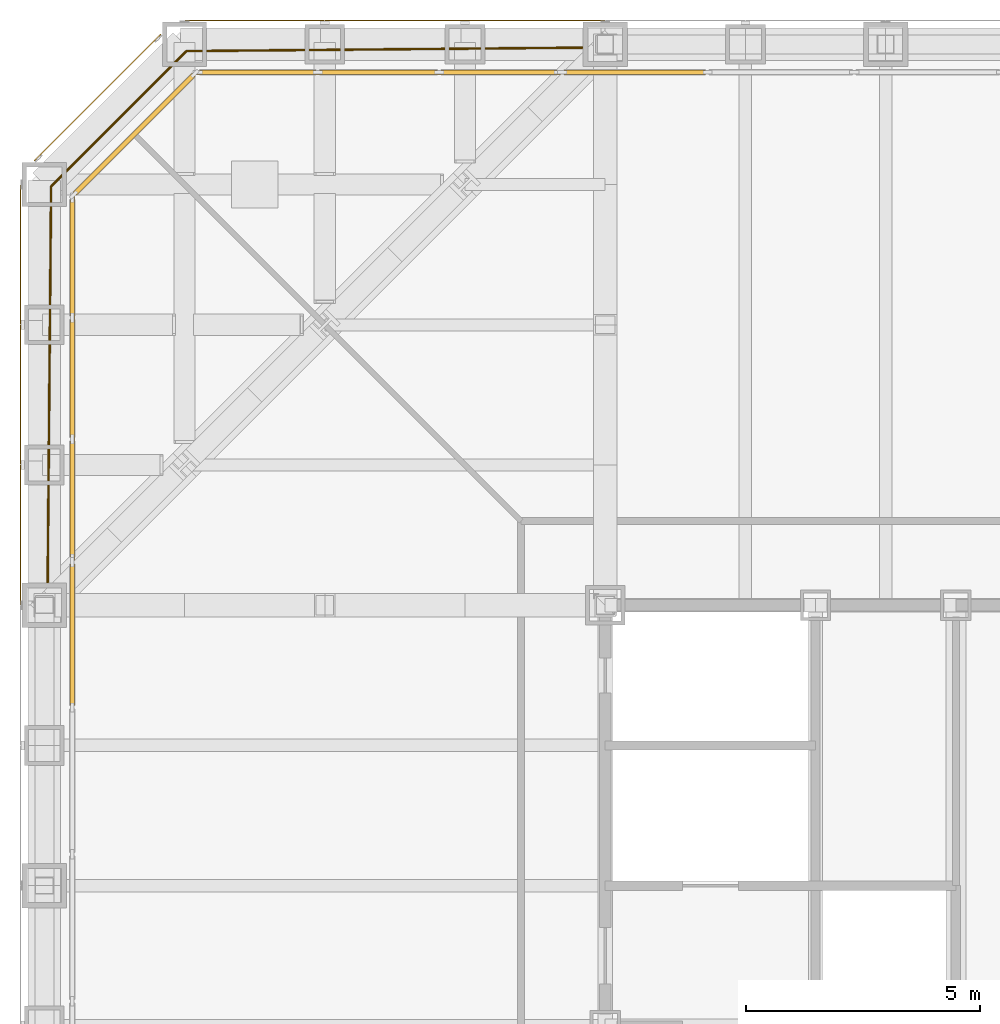
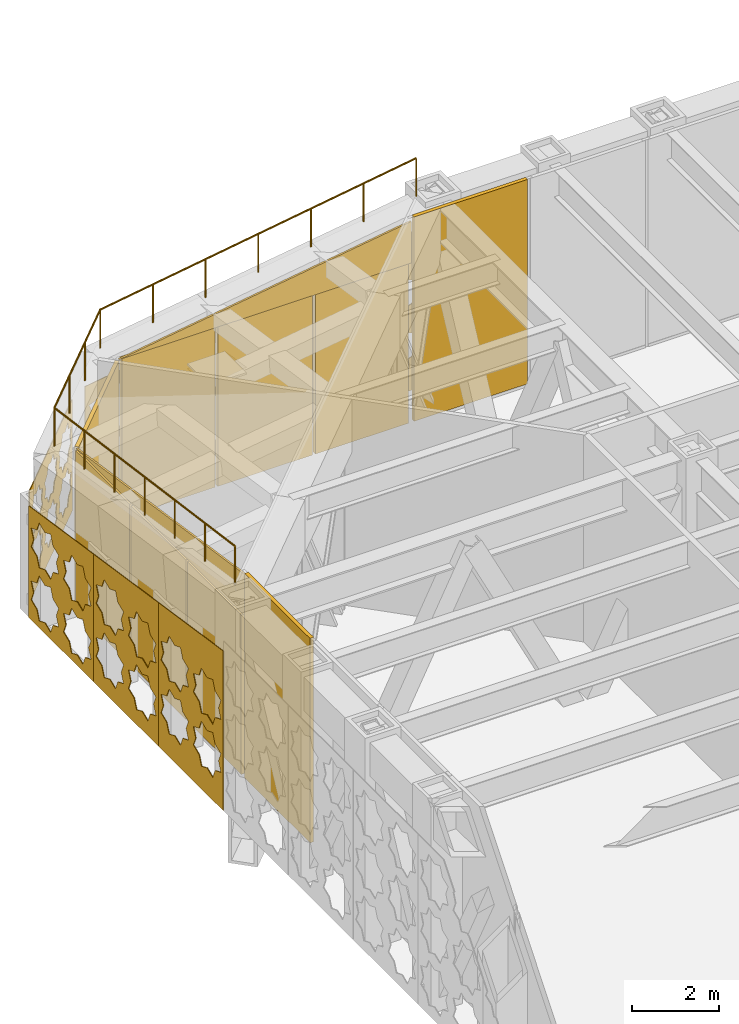
# One storey, part 26 of 28: 9 coverings, 9 shading devices, 1 railing, 5 elements without a shape of their own.
"""IFC4 building model written with IfcOpenShell, lengths in metres."""

import ifcopenshell
import ifcopenshell.guid

model = None  # the IFC model being written
_history = None  # IfcOwnerHistory: only IFC2X3 demands one
_inside = {}  # id of a spatial element -> (the spatial element, [elements in it])
_under = {}  # id of a project, library or spatial element -> (it, [spatial elements below it])
_declared = {}  # id of a project -> (the project, [libraries it declares])
_typed = {}  # id of a type object -> (the type object, [elements of that type])
_made_of = {}  # id of a material, layer set ... -> (it, [elements and type objects made of it])


def new_model(schema):
    """Start an empty IFC model of exactly this schema.

    Asked for "IFC4X3", IfcOpenShell would pick the latest addendum, in which some entities
    have other attributes; the version numbers below select the first issue.
    IFC2X3 requires an IfcOwnerHistory on every rooted entity: one is made here for all.
    """
    global model, _history
    if schema == "IFC4X3":
        model = ifcopenshell.file(schema_version=(4, 3, 0, 0))
    else:
        model = ifcopenshell.file(schema=schema)
    _inside.clear()
    _under.clear()
    _declared.clear()
    _typed.clear()
    _made_of.clear()
    _history = None
    if model.schema == "IFC2X3":
        org = make("IfcOrganization", Name="unknown")
        user = make(
            "IfcPersonAndOrganization",
            ThePerson=make("IfcPerson", FamilyName="unknown"),
            TheOrganization=org,
        )
        app = make(
            "IfcApplication",
            ApplicationDeveloper=org,
            Version="unknown",
            ApplicationFullName="unknown",
            ApplicationIdentifier="unknown",
        )
        _history = make(
            "IfcOwnerHistory",
            OwningUser=user,
            OwningApplication=app,
            ChangeAction="ADDED",
            CreationDate=0,
        )
    return model


def make(cls, **values):
    """One entity of the class cls with the attributes given. An attribute that is None is left unset."""
    return model.create_entity(
        cls, **{name: value for name, value in values.items() if value is not None}
    )


def rooted(cls, **values):
    """An entity with a GlobalId (a new one), such as an element, a storey or a relation."""
    return make(cls, GlobalId=ifcopenshell.guid.new(), OwnerHistory=_history, **values)


def si_unit(unit_type, name, prefix=None):
    """IfcSIUnit, for example si_unit("LENGTHUNIT", "METRE", prefix="MILLI")."""
    return make("IfcSIUnit", UnitType=unit_type, Prefix=prefix, Name=name)


def assignment(units):
    """IfcUnitAssignment: the units of a project."""
    return None if units is None else make("IfcUnitAssignment", Units=units)


def point(xyz):
    """IfcCartesianPoint."""
    return None if xyz is None else make("IfcCartesianPoint", Coordinates=xyz)


def direction(xyz):
    """IfcDirection."""
    return None if xyz is None else make("IfcDirection", DirectionRatios=xyz)


def frame(location, z_axis=None, x_axis=None):
    """IfcAxis2Placement3D, a coordinate frame: its origin and axes. An axis left out is left unset."""
    return make(
        "IfcAxis2Placement3D",
        Location=point(location),
        Axis=direction(z_axis),
        RefDirection=direction(x_axis),
    )


def frame_2d(location, x_axis=None):
    """IfcAxis2Placement2D, a coordinate frame in the plane: its origin and x axis."""
    return make(
        "IfcAxis2Placement2D", Location=point(location), RefDirection=direction(x_axis)
    )


def origin():
    """The frame at (0, 0, 0) with its axes left unset."""
    return frame((0.0, 0.0, 0.0))


def origin_2d():
    """The frame at (0, 0) in the plane with its x axis left unset."""
    return frame_2d((0.0, 0.0))


def place(relative_to, where):
    """IfcLocalPlacement: puts the frame where relative to a parent placement (None: the world)."""
    return make(
        "IfcLocalPlacement", PlacementRelTo=relative_to, RelativePlacement=where
    )


def context(
    kind, dimensions, precision=None, world=None, true_north=None, identifier=None
):
    """IfcGeometricRepresentationContext, for example the 3D "Model" context."""
    return make(
        "IfcGeometricRepresentationContext",
        ContextIdentifier=identifier,
        ContextType=kind,
        CoordinateSpaceDimension=dimensions,
        Precision=precision,
        WorldCoordinateSystem=world,
        TrueNorth=true_north,
    )


def subcontext(parent, identifier, kind, view, scale=None):
    """IfcGeometricRepresentationSubContext, for example "Body" below "Model"."""
    return make(
        "IfcGeometricRepresentationSubContext",
        ContextIdentifier=identifier,
        ContextType=kind,
        ParentContext=parent,
        TargetScale=scale,
        TargetView=view,
    )


def project(units=None, contexts=None):
    """IfcProject with its units and contexts."""
    return rooted(
        "IfcProject",
        Name="project",
        RepresentationContexts=contexts,
        UnitsInContext=assignment(units),
    )


def spatial(cls, under=None, at=None, **own):
    """A site, building, storey or space (cls), placed at a placement, below another one or the project."""
    s = rooted(cls, ObjectPlacement=at, **own)
    if under is not None:
        _under.setdefault(under.id(), (under, []))[1].append(s)
    return s


def polyline(points):
    """IfcPolyline through the points."""
    return make("IfcPolyline", Points=[point(p) for p in points])


def profile(cls, at=None, kind="AREA", **sizes):
    """A parametric profile (cls). Its sizes go by their IFC names, for example OverallWidth=200.0."""
    return make(cls, ProfileType=kind, Position=at, **sizes)


def rectangle(**sizes):
    """IfcRectangleProfileDef."""
    return profile("IfcRectangleProfileDef", **sizes)


def circle(**sizes):
    """IfcCircleProfileDef."""
    return profile("IfcCircleProfileDef", **sizes)


def outline(outer, holes=None, kind="AREA"):
    """IfcArbitraryClosedProfileDef: a profile drawn as a closed curve; with holes, ...WithVoids."""
    if holes is None:
        return make("IfcArbitraryClosedProfileDef", ProfileType=kind, OuterCurve=outer)
    return make(
        "IfcArbitraryProfileDefWithVoids",
        ProfileType=kind,
        OuterCurve=outer,
        InnerCurves=holes,
    )


def extrude(swept, where, along, depth):
    """IfcExtrudedAreaSolid: the profile swept, set in the frame where, extruded along a direction by depth."""
    return make(
        "IfcExtrudedAreaSolid",
        SweptArea=swept,
        Position=where,
        ExtrudedDirection=direction(along),
        Depth=depth,
    )


def shape(context_of_items, identifier, shape_type, items):
    """IfcShapeRepresentation: the items that make up one representation, for example the "Body"."""
    return make(
        "IfcShapeRepresentation",
        ContextOfItems=context_of_items,
        RepresentationIdentifier=identifier,
        RepresentationType=shape_type,
        Items=items,
    )


def material(Name=None, Category=None):
    """IfcMaterial."""
    return make("IfcMaterial", Name=Name, Category=Category)


def layer(
    of_material, thickness, ventilated=None, Name=None, Category=None, Priority=None
):
    """IfcMaterialLayer: one layer of a wall or slab, of a material (None: an air gap)."""
    return make(
        "IfcMaterialLayer",
        Material=of_material,
        LayerThickness=thickness,
        IsVentilated=ventilated,
        Name=Name,
        Category=Category,
        Priority=Priority,
    )


def layer_set(layers, Name=None):
    """IfcMaterialLayerSet."""
    return make("IfcMaterialLayerSet", MaterialLayers=layers, LayerSetName=Name)


def made_of(thing, what):
    """Note that an element or type object is made of a material, layer set ...; save() writes the relation."""
    if what is not None:
        _made_of.setdefault(what.id(), (what, []))[1].append(thing)
    return thing


def type_object(cls, material=None, **own):
    """A type object (cls), such as IfcWallType, which elements share."""
    return made_of(rooted(cls, **own), material)


def element(
    cls,
    number,
    at=None,
    inside=None,
    cuts=None,
    type_object=None,
    material=None,
    context=None,
    identifier="Body",
    shape_type=None,
    held_by="IfcProductDefinitionShape",
    body=None,
    shapes=None,
    **own,
):
    """One element of the class cls, such as IfcWall. Its Tag is "e" and its number.

    at: its placement. inside: the storey or other place that contains it. cuts: it is an
    opening in that element (IfcRelVoidsElement). A single representation is given by context,
    identifier, shape_type and body (its items); several are given by shapes. held_by: the class
    of the entity that holds the representations. save() writes the other relations.
    """
    e = rooted(cls, Tag="e%d" % number, ObjectPlacement=at, **own)
    if body is not None:
        shapes = [shape(context, identifier, shape_type, body)]
    if shapes is not None:
        e.Representation = make(held_by, Representations=shapes)
    if inside is not None:
        _inside.setdefault(inside.id(), (inside, []))[1].append(e)
    if cuts is not None:
        rooted(
            "IfcRelVoidsElement", RelatingBuildingElement=cuts, RelatedOpeningElement=e
        )
    if type_object is not None:
        _typed.setdefault(type_object.id(), (type_object, []))[1].append(e)
    return made_of(e, material)


def aggregate(whole, parts):
    """IfcRelAggregates: a whole, such as a stair, and the parts it consists of."""
    return rooted("IfcRelAggregates", RelatingObject=whole, RelatedObjects=parts)


def save(model, path):
    """Write the relations noted so far, then the file.

    IfcRelAggregates (storeys below a building ...), IfcRelContainedInSpatialStructure (elements
    in a storey), IfcRelDefinesByType, IfcRelAssociatesMaterial and IfcRelDeclares: one each for
    every whole, place, type object, material and project.
    """
    for whole, parts in _under.values():
        aggregate(whole, parts)
    for where, things in _inside.values():
        rooted(
            "IfcRelContainedInSpatialStructure",
            RelatedElements=things,
            RelatingStructure=where,
        )
    for kind, things in _typed.values():
        rooted("IfcRelDefinesByType", RelatedObjects=things, RelatingType=kind)
    for what, things in _made_of.values():
        rooted("IfcRelAssociatesMaterial", RelatedObjects=things, RelatingMaterial=what)
    for by, libraries in _declared.values():
        rooted("IfcRelDeclares", RelatingContext=by, RelatedDefinitions=libraries)
    model.write(path)


model = new_model("IFC4")

# Units and contexts
model_context = context("Model", 3, precision=1e-05, world=origin(), true_north=direction((0.0, 1.0)))
body_context = subcontext(model_context, "Body", "Model", "MODEL_VIEW")
ifc_project = project(units=[si_unit("LENGTHUNIT", "METRE"), si_unit("AREAUNIT", "SQUARE_METRE"), si_unit("VOLUMEUNIT", "CUBIC_METRE"), si_unit("PLANEANGLEUNIT", "RADIAN"), si_unit("MASSUNIT", "GRAM", prefix="KILO")], contexts=[model_context])

# Site, building, storey
site_placement = place(None, origin())
site = spatial("IfcSite", under=ifc_project, at=site_placement, CompositionType="ELEMENT")
building_placement = place(site_placement, origin())
building = spatial("IfcBuilding", under=site, at=building_placement, Name="Chuquiago Exchange Tower", CompositionType="ELEMENT")
storey_placement = place(building_placement, frame((0.0, 0.0, 174.0)))
storey = spatial("IfcBuildingStorey", under=building, at=storey_placement, Name="L38", CompositionType="ELEMENT", Elevation=174.0)

# Curtain wall, shading device
ifc_material_1 = material(Name="Aluminium curtain wall system", Category="aluminium")
ifc_layer_1 = layer(ifc_material_1, 0.199951171875)
ifc_layer_set_1 = layer_set([ifc_layer_1], Name="CW6 plant floor louvre wall")
curtain_wall_type = type_object("IfcCurtainWallType", Name="CW6 plant floor louvre wall", PredefinedType="NOTDEFINED", material=ifc_layer_set_1)
curtain_wall_1_placement = place(storey_placement, origin())
curtain_wall_1 = element("IfcCurtainWall", 1, at=curtain_wall_1_placement, inside=storey, type_object=curtain_wall_type, Name="CW6 curtain wall L38", PredefinedType="NOTDEFINED")
ifc_material_2 = material(Name="Aluminium louvre", Category="aluminium")
ifc_layer_2 = layer(ifc_material_2, 0.10009765625)
ifc_layer_set_2 = layer_set([ifc_layer_2], Name="CW6-P louvre panel 100")
shading_device_type = type_object("IfcShadingDeviceType", Name="CW6-P louvre panel 100", PredefinedType="USERDEFINED", material=ifc_layer_set_2)
shading_device_1_placement = place(storey_placement, frame((12.6357421875, 44.39990234375, 0.0751953125), z_axis=(0.0, 0.0, 1.0), x_axis=(-1.0, 0.0, 0.0)))
shading_device_1 = element("IfcShadingDevice", 2, at=shading_device_1_placement, type_object=shading_device_type, Name="CW6 panel 5.1", ObjectType="LOUVER", PredefinedType="USERDEFINED", context=body_context, shape_type="SweptSolid", body=[
    extrude(rectangle(XDim=3.028564453125, YDim=0.10009765625, at=origin_2d()), origin(), (0.0, 0.0, 1.0), 5.764892578125),
])
aggregate(curtain_wall_1, [shading_device_1])

# Curtain wall, shading devices
curtain_wall_2_placement = place(storey_placement, origin())
curtain_wall_2 = element("IfcCurtainWall", 3, at=curtain_wall_2_placement, inside=storey, type_object=curtain_wall_type, Name="CW6 curtain wall L38", PredefinedType="NOTDEFINED")
shading_device_2_placement = place(storey_placement, frame((9.72802734375, 44.39990234375, 0.0751953125), z_axis=(0.0, 0.0, 1.0), x_axis=(-1.0, 0.0, 0.0)))
shading_device_2 = element("IfcShadingDevice", 4, at=shading_device_2_placement, type_object=shading_device_type, Name="CW6 panel 1.1", ObjectType="LOUVER", PredefinedType="USERDEFINED", context=body_context, shape_type="SweptSolid", body=[
    extrude(rectangle(XDim=2.48681640625, YDim=0.10009765625, at=origin_2d()), origin(), (0.0, 0.0, 1.0), 4.495361328125),
])
shading_device_3_placement = place(storey_placement, frame((7.1474609375, 44.39990234375, 0.0751953125), z_axis=(0.0, 0.0, 1.0), x_axis=(-1.0, 0.0, 0.0)))
shading_device_3 = element("IfcShadingDevice", 5, at=shading_device_3_placement, type_object=shading_device_type, Name="CW6 panel 2.1", ObjectType="LOUVER", PredefinedType="USERDEFINED", context=body_context, shape_type="SweptSolid", body=[
    extrude(rectangle(XDim=2.5244140625, YDim=0.10009765625, at=origin_2d()), origin(), (0.0, 0.0, 1.0), 4.495361328125),
])
shading_device_4_placement = place(storey_placement, frame((4.56689453125, 44.39990234375, 0.0751953125), z_axis=(0.0, 0.0, 1.0), x_axis=(-1.0, 0.0, 0.0)))
shading_device_4 = element("IfcShadingDevice", 6, at=shading_device_4_placement, type_object=shading_device_type, Name="CW6 panel 3.1", ObjectType="LOUVER", PredefinedType="USERDEFINED", context=body_context, shape_type="SweptSolid", body=[
    extrude(rectangle(XDim=2.48681640625, YDim=0.10009765625, at=origin_2d()), origin(), (0.0, 0.0, 1.0), 4.495361328125),
])
aggregate(curtain_wall_2, [shading_device_2, shading_device_3, shading_device_4])

# Curtain wall, shading device
curtain_wall_3_placement = place(storey_placement, origin())
curtain_wall_3 = element("IfcCurtainWall", 7, at=curtain_wall_3_placement, inside=storey, type_object=curtain_wall_type, Name="CW6 curtain wall L38", PredefinedType="NOTDEFINED")
shading_device_5_placement = place(storey_placement, frame((1.92431640625, 43.07568359375, 0.0751953125), z_axis=(0.0, 0.0, 1.0), x_axis=(-0.707106781187, -0.707106781187, 0.0)))
shading_device_5 = element("IfcShadingDevice", 8, at=shading_device_5_placement, type_object=shading_device_type, Name="CW6 panel 1.1", ObjectType="LOUVER", PredefinedType="USERDEFINED", context=body_context, shape_type="SweptSolid", body=[
    extrude(rectangle(XDim=3.595458984375, YDim=0.10009765625, at=origin_2d()), origin(), (0.0, 0.0, 1.0), 4.495361328125),
])
aggregate(curtain_wall_3, [shading_device_5])

# Curtain wall, shading devices
curtain_wall_4_placement = place(storey_placement, origin())
curtain_wall_4 = element("IfcCurtainWall", 9, at=curtain_wall_4_placement, inside=storey, type_object=curtain_wall_type, Name="CW6 curtain wall L38", PredefinedType="NOTDEFINED")
shading_device_6_placement = place(storey_placement, frame((0.60009765625, 40.43310546875, 0.0751953125), z_axis=(0.0, 0.0, 1.0), x_axis=(0.0, -1.0, 0.0)))
shading_device_6 = element("IfcShadingDevice", 10, at=shading_device_6_placement, type_object=shading_device_type, Name="CW6 panel 1.1", ObjectType="LOUVER", PredefinedType="USERDEFINED", context=body_context, shape_type="SweptSolid", body=[
    extrude(rectangle(XDim=2.48681640625, YDim=0.10009765625, at=origin_2d()), origin(), (0.0, 0.0, 1.0), 4.495361328125),
])
shading_device_7_placement = place(storey_placement, frame((0.60009765625, 37.8525390625, 0.0751953125), z_axis=(0.0, 0.0, 1.0), x_axis=(0.0, -1.0, 0.0)))
shading_device_7 = element("IfcShadingDevice", 11, at=shading_device_7_placement, type_object=shading_device_type, Name="CW6 panel 2.1", ObjectType="LOUVER", PredefinedType="USERDEFINED", context=body_context, shape_type="SweptSolid", body=[
    extrude(rectangle(XDim=2.5244140625, YDim=0.10009765625, at=origin_2d()), origin(), (0.0, 0.0, 1.0), 4.495361328125),
])
shading_device_8_placement = place(storey_placement, frame((0.60009765625, 35.27197265625, 0.0751953125), z_axis=(0.0, 0.0, 1.0), x_axis=(0.0, -1.0, 0.0)))
shading_device_8 = element("IfcShadingDevice", 12, at=shading_device_8_placement, type_object=shading_device_type, Name="CW6 panel 3.1", ObjectType="LOUVER", PredefinedType="USERDEFINED", context=body_context, shape_type="SweptSolid", body=[
    extrude(rectangle(XDim=2.48681640625, YDim=0.10009765625, at=origin_2d()), origin(), (0.0, 0.0, 1.0), 4.495361328125),
])
aggregate(curtain_wall_4, [shading_device_6, shading_device_7, shading_device_8])

# Curtain wall, shading device
curtain_wall_5_placement = place(storey_placement, origin())
curtain_wall_5 = element("IfcCurtainWall", 13, at=curtain_wall_5_placement, inside=storey, type_object=curtain_wall_type, Name="CW6 curtain wall L38", PredefinedType="NOTDEFINED")
shading_device_9_placement = place(storey_placement, frame((0.60009765625, 32.3642578125, 0.0751953125), z_axis=(0.0, 0.0, 1.0), x_axis=(0.0, -1.0, 0.0)))
shading_device_9 = element("IfcShadingDevice", 14, at=shading_device_9_placement, type_object=shading_device_type, Name="CW6 panel 1.1", ObjectType="LOUVER", PredefinedType="USERDEFINED", context=body_context, shape_type="SweptSolid", body=[
    extrude(rectangle(XDim=3.028564453125, YDim=0.10009765625, at=origin_2d()), origin(), (0.0, 0.0, 1.0), 5.764892578125),
])
aggregate(curtain_wall_5, [shading_device_9])

# Coverings
ifc_material_3 = material(Name="Pale metal insulated fascia panel", Category="aluminium")
ifc_layer_3 = layer(ifc_material_3, 0.050048828125)
ifc_layer_set_3 = layer_set([ifc_layer_3], Name="FX1 raked fascia panel 50")
covering_type_1 = type_object("IfcCoveringType", Name="FX1 raked fascia panel 50", PredefinedType="CLADDING", material=ifc_layer_set_3)
covering_1_placement = place(storey_placement, frame((11.04638671875, 44.39990234375, 4.5703125), z_axis=(0.0, 1.0, 0.0), x_axis=(-1.0, 0.0, 0.0)))
element("IfcCovering", 15, at=covering_1_placement, inside=storey, type_object=covering_type_1, Name="Raked fascia L38 N under the NW facet roof", PredefinedType="CLADDING", context=body_context, shape_type="SweptSolid", body=[
    extrude(outline(polyline([(0.0, 0.0), (7.7978515625, 0.0), (0.0, 1.172119140625), (0.0, 0.0)])), origin(), (0.0, 0.0, -1.0), 0.050048828125),
])
covering_2_placement = place(storey_placement, frame((0.60009765625, 41.75146484375, 4.5703125), z_axis=(-1.0, 0.0, 0.0), x_axis=(0.0, -1.0, 0.0)))
element("IfcCovering", 16, at=covering_2_placement, inside=storey, type_object=covering_type_1, Name="Raked fascia L38 W under the NW facet roof", PredefinedType="CLADDING", context=body_context, shape_type="SweptSolid", body=[
    extrude(outline(polyline([(0.0, 0.0), (7.7978515625, 0.0), (7.7978515625, 1.172119140625), (0.0, 0.0)])), origin(), (0.0, 0.0, -1.0), 0.050048828125),
])
ifc_material_4 = material(Name="Anodised aluminium, pale", Category="aluminium")
ifc_layer_4 = layer(ifc_material_4, 0.02001953125)
ifc_layer_set_4 = layer_set([ifc_layer_4], Name="GC1 girih cladding panel 20")
covering_type_2 = type_object("IfcCoveringType", Name="GC1 girih cladding panel 20", PredefinedType="CLADDING", material=ifc_layer_set_4)
covering_3_placement = place(storey_placement, frame((11.9951171875, 45.5, 0.050048828125), z_axis=(0.0, 0.0, 1.0), x_axis=(-1.0, 0.0, 0.0)))
element("IfcCovering", 17, at=covering_3_placement, inside=storey, type_object=covering_type_2, Name="Girih cladding panel L38 N 6", PredefinedType="CLADDING", context=body_context, shape_type="SweptSolid", body=[
    extrude(outline(polyline([(0.0, 0.0), (2.989990234375, 0.0), (2.989990234375, 4.0498046875), (0.0, 4.499267578125), (0.0, 0.0)]), holes=[polyline([(1.27392578125, 1.27734375), (1.3828125, 1.54052734375), (1.11962890625, 1.649658203125), (1.0107421875, 1.912841796875), (0.74755859375, 1.8037109375), (0.484375, 1.912841796875), (0.375244140625, 1.649658203125), (0.112060546875, 1.54052734375), (0.22119140625, 1.27734375), (0.112060546875, 1.01416015625), (0.375244140625, 0.9052734375), (0.484375, 0.64208984375), (0.74755859375, 0.7509765625), (1.0107421875, 0.64208984375), (1.11962890625, 0.9052734375), (1.3828125, 1.01416015625), (1.27392578125, 1.27734375)]), polyline([(2.768798828125, 1.27734375), (2.8779296875, 1.54052734375), (2.61474609375, 1.649658203125), (2.505615234375, 1.912841796875), (2.242431640625, 1.8037109375), (1.979248046875, 1.912841796875), (1.870361328125, 1.649658203125), (1.607177734375, 1.54052734375), (1.716064453125, 1.27734375), (1.607177734375, 1.01416015625), (1.870361328125, 0.9052734375), (1.979248046875, 0.64208984375), (2.242431640625, 0.7509765625), (2.505615234375, 0.64208984375), (2.61474609375, 0.9052734375), (2.8779296875, 1.01416015625), (2.768798828125, 1.27734375)]), polyline([(1.27392578125, 2.7724609375), (1.3828125, 3.03564453125), (1.11962890625, 3.14453125), (1.0107421875, 3.40771484375), (0.74755859375, 3.298828125), (0.484375, 3.40771484375), (0.375244140625, 3.14453125), (0.112060546875, 3.03564453125), (0.22119140625, 2.7724609375), (0.112060546875, 2.50927734375), (0.375244140625, 2.400146484375), (0.484375, 2.136962890625), (0.74755859375, 2.24609375), (1.0107421875, 2.136962890625), (1.11962890625, 2.400146484375), (1.3828125, 2.50927734375), (1.27392578125, 2.7724609375)]), polyline([(2.768798828125, 2.7724609375), (2.8779296875, 3.03564453125), (2.61474609375, 3.14453125), (2.505615234375, 3.40771484375), (2.242431640625, 3.298828125), (1.979248046875, 3.40771484375), (1.870361328125, 3.14453125), (1.607177734375, 3.03564453125), (1.716064453125, 2.7724609375), (1.607177734375, 2.50927734375), (1.870361328125, 2.400146484375), (1.979248046875, 2.136962890625), (2.242431640625, 2.24609375), (2.505615234375, 2.136962890625), (2.61474609375, 2.400146484375), (2.8779296875, 2.50927734375), (2.768798828125, 2.7724609375)])]), frame((0.0, 0.0, 0.0), z_axis=(0.0, -1.0, 0.0), x_axis=(1.0, 0.0, 0.0)), (0.0, 0.0, 1.0), 0.02001953125),
])
covering_4_placement = place(storey_placement, frame((8.9951171875, 45.5, 0.050048828125), z_axis=(0.0, 0.0, 1.0), x_axis=(-1.0, 0.0, 0.0)))
element("IfcCovering", 18, at=covering_4_placement, inside=storey, type_object=covering_type_2, Name="Girih cladding panel L38 N 7", PredefinedType="CLADDING", context=body_context, shape_type="SweptSolid", body=[
    extrude(outline(polyline([(0.0, 0.0), (2.989990234375, 0.0), (2.989990234375, 3.598876953125), (0.0, 4.04833984375), (0.0, 0.0)]), holes=[polyline([(1.27392578125, 1.052001953125), (1.3828125, 1.315185546875), (1.11962890625, 1.424072265625), (1.0107421875, 1.687255859375), (0.74755859375, 1.578369140625), (0.484375, 1.687255859375), (0.375244140625, 1.424072265625), (0.112060546875, 1.315185546875), (0.22119140625, 1.052001953125), (0.112060546875, 0.788818359375), (0.375244140625, 0.6796875), (0.484375, 0.41650390625), (0.74755859375, 0.525634765625), (1.0107421875, 0.41650390625), (1.11962890625, 0.6796875), (1.3828125, 0.788818359375), (1.27392578125, 1.052001953125)]), polyline([(2.768798828125, 1.052001953125), (2.8779296875, 1.315185546875), (2.61474609375, 1.424072265625), (2.505615234375, 1.687255859375), (2.242431640625, 1.578369140625), (1.979248046875, 1.687255859375), (1.870361328125, 1.424072265625), (1.607177734375, 1.315185546875), (1.716064453125, 1.052001953125), (1.607177734375, 0.788818359375), (1.870361328125, 0.6796875), (1.979248046875, 0.41650390625), (2.242431640625, 0.525634765625), (2.505615234375, 0.41650390625), (2.61474609375, 0.6796875), (2.8779296875, 0.788818359375), (2.768798828125, 1.052001953125)]), polyline([(1.27392578125, 2.546875), (1.3828125, 2.81005859375), (1.11962890625, 2.919189453125), (1.0107421875, 3.182373046875), (0.74755859375, 3.0732421875), (0.484375, 3.182373046875), (0.375244140625, 2.919189453125), (0.112060546875, 2.81005859375), (0.22119140625, 2.546875), (0.112060546875, 2.28369140625), (0.375244140625, 2.1748046875), (0.484375, 1.91162109375), (0.74755859375, 2.0205078125), (1.0107421875, 1.91162109375), (1.11962890625, 2.1748046875), (1.3828125, 2.28369140625), (1.27392578125, 2.546875)]), polyline([(2.768798828125, 2.546875), (2.8779296875, 2.81005859375), (2.61474609375, 2.919189453125), (2.505615234375, 3.182373046875), (2.242431640625, 3.0732421875), (1.979248046875, 3.182373046875), (1.870361328125, 2.919189453125), (1.607177734375, 2.81005859375), (1.716064453125, 2.546875), (1.607177734375, 2.28369140625), (1.870361328125, 2.1748046875), (1.979248046875, 1.91162109375), (2.242431640625, 2.0205078125), (2.505615234375, 1.91162109375), (2.61474609375, 2.1748046875), (2.8779296875, 2.28369140625), (2.768798828125, 2.546875)])]), frame((0.0, 0.0, 0.0), z_axis=(0.0, -1.0, 0.0), x_axis=(1.0, 0.0, 0.0)), (0.0, 0.0, 1.0), 0.02001953125),
])
covering_5_placement = place(storey_placement, frame((5.9951171875, 45.5, 0.050048828125), z_axis=(0.0, 0.0, 1.0), x_axis=(-1.0, 0.0, 0.0)))
element("IfcCovering", 19, at=covering_5_placement, inside=storey, type_object=covering_type_2, Name="Girih cladding panel L38 N 8", PredefinedType="CLADDING", context=body_context, shape_type="SweptSolid", body=[
    extrude(outline(polyline([(0.0, 0.0), (2.989990234375, 0.0), (2.989990234375, 3.14794921875), (0.0, 3.597412109375), (0.0, 0.0)]), holes=[polyline([(1.27392578125, 0.82666015625), (1.3828125, 1.089599609375), (1.11962890625, 1.19873046875), (1.0107421875, 1.4619140625), (0.74755859375, 1.352783203125), (0.484375, 1.4619140625), (0.375244140625, 1.19873046875), (0.112060546875, 1.089599609375), (0.22119140625, 0.82666015625), (0.112060546875, 0.563232421875), (0.375244140625, 0.454345703125), (0.484375, 0.191162109375), (0.74755859375, 0.300048828125), (1.0107421875, 0.191162109375), (1.11962890625, 0.454345703125), (1.3828125, 0.563232421875), (1.27392578125, 0.82666015625)]), polyline([(2.768798828125, 0.82666015625), (2.8779296875, 1.089599609375), (2.61474609375, 1.19873046875), (2.505615234375, 1.4619140625), (2.242431640625, 1.352783203125), (1.979248046875, 1.4619140625), (1.870361328125, 1.19873046875), (1.607177734375, 1.089599609375), (1.716064453125, 0.82666015625), (1.607177734375, 0.563232421875), (1.870361328125, 0.454345703125), (1.979248046875, 0.191162109375), (2.242431640625, 0.300048828125), (2.505615234375, 0.191162109375), (2.61474609375, 0.454345703125), (2.8779296875, 0.563232421875), (2.768798828125, 0.82666015625)]), polyline([(1.27392578125, 2.321533203125), (1.3828125, 2.584716796875), (1.11962890625, 2.693603515625), (1.0107421875, 2.956787109375), (0.74755859375, 2.847900390625), (0.484375, 2.956787109375), (0.375244140625, 2.693603515625), (0.112060546875, 2.584716796875), (0.22119140625, 2.321533203125), (0.112060546875, 2.058349609375), (0.375244140625, 1.949462890625), (0.484375, 1.68603515625), (0.74755859375, 1.795166015625), (1.0107421875, 1.68603515625), (1.11962890625, 1.949462890625), (1.3828125, 2.058349609375), (1.27392578125, 2.321533203125)]), polyline([(2.768798828125, 2.321533203125), (2.8779296875, 2.584716796875), (2.61474609375, 2.693603515625), (2.505615234375, 2.956787109375), (2.242431640625, 2.847900390625), (1.979248046875, 2.956787109375), (1.870361328125, 2.693603515625), (1.607177734375, 2.584716796875), (1.716064453125, 2.321533203125), (1.607177734375, 2.058349609375), (1.870361328125, 1.949462890625), (1.979248046875, 1.68603515625), (2.242431640625, 1.795166015625), (2.505615234375, 1.68603515625), (2.61474609375, 1.949462890625), (2.8779296875, 2.058349609375), (2.768798828125, 2.321533203125)])]), frame((0.0, 0.0, 0.0), z_axis=(0.0, -1.0, 0.0), x_axis=(1.0, 0.0, 0.0)), (0.0, 0.0, 1.0), 0.02001953125),
])
covering_6_placement = place(storey_placement, frame((-0.5, 41.9951171875, 0.050048828125), z_axis=(0.0, 0.0, 1.0), x_axis=(0.0, -1.0, 0.0)))
element("IfcCovering", 20, at=covering_6_placement, inside=storey, type_object=covering_type_2, Name="Girih cladding panel L38 W 1", PredefinedType="CLADDING", context=body_context, shape_type="SweptSolid", body=[
    extrude(outline(polyline([(0.0, 0.0), (2.989990234375, 0.0), (2.989990234375, 3.597412109375), (0.0, 3.14794921875), (0.0, 0.0)]), holes=[polyline([(1.27392578125, 0.82666015625), (1.3828125, 1.089599609375), (1.11962890625, 1.19873046875), (1.0107421875, 1.4619140625), (0.74755859375, 1.352783203125), (0.484375, 1.4619140625), (0.375244140625, 1.19873046875), (0.112060546875, 1.089599609375), (0.22119140625, 0.82666015625), (0.112060546875, 0.563232421875), (0.375244140625, 0.454345703125), (0.484375, 0.191162109375), (0.74755859375, 0.300048828125), (1.0107421875, 0.191162109375), (1.11962890625, 0.454345703125), (1.3828125, 0.563232421875), (1.27392578125, 0.82666015625)]), polyline([(2.768798828125, 0.82666015625), (2.8779296875, 1.089599609375), (2.61474609375, 1.19873046875), (2.505615234375, 1.4619140625), (2.242431640625, 1.352783203125), (1.979248046875, 1.4619140625), (1.870361328125, 1.19873046875), (1.607177734375, 1.089599609375), (1.716064453125, 0.82666015625), (1.607177734375, 0.563232421875), (1.870361328125, 0.454345703125), (1.979248046875, 0.191162109375), (2.242431640625, 0.300048828125), (2.505615234375, 0.191162109375), (2.61474609375, 0.454345703125), (2.8779296875, 0.563232421875), (2.768798828125, 0.82666015625)]), polyline([(1.27392578125, 2.321533203125), (1.3828125, 2.584716796875), (1.11962890625, 2.693603515625), (1.0107421875, 2.956787109375), (0.74755859375, 2.847900390625), (0.484375, 2.956787109375), (0.375244140625, 2.693603515625), (0.112060546875, 2.584716796875), (0.22119140625, 2.321533203125), (0.112060546875, 2.058349609375), (0.375244140625, 1.949462890625), (0.484375, 1.68603515625), (0.74755859375, 1.795166015625), (1.0107421875, 1.68603515625), (1.11962890625, 1.949462890625), (1.3828125, 2.058349609375), (1.27392578125, 2.321533203125)]), polyline([(2.768798828125, 2.321533203125), (2.8779296875, 2.584716796875), (2.61474609375, 2.693603515625), (2.505615234375, 2.956787109375), (2.242431640625, 2.847900390625), (1.979248046875, 2.956787109375), (1.870361328125, 2.693603515625), (1.607177734375, 2.584716796875), (1.716064453125, 2.321533203125), (1.607177734375, 2.058349609375), (1.870361328125, 1.949462890625), (1.979248046875, 1.68603515625), (2.242431640625, 1.795166015625), (2.505615234375, 1.68603515625), (2.61474609375, 1.949462890625), (2.8779296875, 2.058349609375), (2.768798828125, 2.321533203125)])]), frame((0.0, 0.0, 0.0), z_axis=(0.0, -1.0, 0.0), x_axis=(1.0, 0.0, 0.0)), (0.0, 0.0, 1.0), 0.02001953125),
])
covering_7_placement = place(storey_placement, frame((-0.5, 38.9951171875, 0.050048828125), z_axis=(0.0, 0.0, 1.0), x_axis=(0.0, -1.0, 0.0)))
element("IfcCovering", 21, at=covering_7_placement, inside=storey, type_object=covering_type_2, Name="Girih cladding panel L38 W 2", PredefinedType="CLADDING", context=body_context, shape_type="SweptSolid", body=[
    extrude(outline(polyline([(0.0, 0.0), (2.989990234375, 0.0), (2.989990234375, 4.04833984375), (0.0, 3.598876953125), (0.0, 0.0)]), holes=[polyline([(1.27392578125, 1.052001953125), (1.3828125, 1.315185546875), (1.11962890625, 1.424072265625), (1.0107421875, 1.687255859375), (0.74755859375, 1.578369140625), (0.484375, 1.687255859375), (0.375244140625, 1.424072265625), (0.112060546875, 1.315185546875), (0.22119140625, 1.052001953125), (0.112060546875, 0.788818359375), (0.375244140625, 0.6796875), (0.484375, 0.41650390625), (0.74755859375, 0.525634765625), (1.0107421875, 0.41650390625), (1.11962890625, 0.6796875), (1.3828125, 0.788818359375), (1.27392578125, 1.052001953125)]), polyline([(2.768798828125, 1.052001953125), (2.8779296875, 1.315185546875), (2.61474609375, 1.424072265625), (2.505615234375, 1.687255859375), (2.242431640625, 1.578369140625), (1.979248046875, 1.687255859375), (1.870361328125, 1.424072265625), (1.607177734375, 1.315185546875), (1.716064453125, 1.052001953125), (1.607177734375, 0.788818359375), (1.870361328125, 0.6796875), (1.979248046875, 0.41650390625), (2.242431640625, 0.525634765625), (2.505615234375, 0.41650390625), (2.61474609375, 0.6796875), (2.8779296875, 0.788818359375), (2.768798828125, 1.052001953125)]), polyline([(1.27392578125, 2.546875), (1.3828125, 2.81005859375), (1.11962890625, 2.919189453125), (1.0107421875, 3.182373046875), (0.74755859375, 3.0732421875), (0.484375, 3.182373046875), (0.375244140625, 2.919189453125), (0.112060546875, 2.81005859375), (0.22119140625, 2.546875), (0.112060546875, 2.28369140625), (0.375244140625, 2.1748046875), (0.484375, 1.91162109375), (0.74755859375, 2.0205078125), (1.0107421875, 1.91162109375), (1.11962890625, 2.1748046875), (1.3828125, 2.28369140625), (1.27392578125, 2.546875)]), polyline([(2.768798828125, 2.546875), (2.8779296875, 2.81005859375), (2.61474609375, 2.919189453125), (2.505615234375, 3.182373046875), (2.242431640625, 3.0732421875), (1.979248046875, 3.182373046875), (1.870361328125, 2.919189453125), (1.607177734375, 2.81005859375), (1.716064453125, 2.546875), (1.607177734375, 2.28369140625), (1.870361328125, 2.1748046875), (1.979248046875, 1.91162109375), (2.242431640625, 2.0205078125), (2.505615234375, 1.91162109375), (2.61474609375, 2.1748046875), (2.8779296875, 2.28369140625), (2.768798828125, 2.546875)])]), frame((0.0, 0.0, 0.0), z_axis=(0.0, -1.0, 0.0), x_axis=(1.0, 0.0, 0.0)), (0.0, 0.0, 1.0), 0.02001953125),
])
covering_8_placement = place(storey_placement, frame((-0.5, 35.9951171875, 0.050048828125), z_axis=(0.0, 0.0, 1.0), x_axis=(0.0, -1.0, 0.0)))
element("IfcCovering", 22, at=covering_8_placement, inside=storey, type_object=covering_type_2, Name="Girih cladding panel L38 W 3", PredefinedType="CLADDING", context=body_context, shape_type="SweptSolid", body=[
    extrude(outline(polyline([(0.0, 0.0), (2.989990234375, 0.0), (2.989990234375, 4.499267578125), (0.0, 4.0498046875), (0.0, 0.0)]), holes=[polyline([(1.27392578125, 1.27734375), (1.3828125, 1.54052734375), (1.11962890625, 1.649658203125), (1.0107421875, 1.912841796875), (0.74755859375, 1.8037109375), (0.484375, 1.912841796875), (0.375244140625, 1.649658203125), (0.112060546875, 1.54052734375), (0.22119140625, 1.27734375), (0.112060546875, 1.01416015625), (0.375244140625, 0.9052734375), (0.484375, 0.64208984375), (0.74755859375, 0.7509765625), (1.0107421875, 0.64208984375), (1.11962890625, 0.9052734375), (1.3828125, 1.01416015625), (1.27392578125, 1.27734375)]), polyline([(2.768798828125, 1.27734375), (2.8779296875, 1.54052734375), (2.61474609375, 1.649658203125), (2.505615234375, 1.912841796875), (2.242431640625, 1.8037109375), (1.979248046875, 1.912841796875), (1.870361328125, 1.649658203125), (1.607177734375, 1.54052734375), (1.716064453125, 1.27734375), (1.607177734375, 1.01416015625), (1.870361328125, 0.9052734375), (1.979248046875, 0.64208984375), (2.242431640625, 0.7509765625), (2.505615234375, 0.64208984375), (2.61474609375, 0.9052734375), (2.8779296875, 1.01416015625), (2.768798828125, 1.27734375)]), polyline([(1.27392578125, 2.7724609375), (1.3828125, 3.03564453125), (1.11962890625, 3.14453125), (1.0107421875, 3.40771484375), (0.74755859375, 3.298828125), (0.484375, 3.40771484375), (0.375244140625, 3.14453125), (0.112060546875, 3.03564453125), (0.22119140625, 2.7724609375), (0.112060546875, 2.50927734375), (0.375244140625, 2.400146484375), (0.484375, 2.136962890625), (0.74755859375, 2.24609375), (1.0107421875, 2.136962890625), (1.11962890625, 2.400146484375), (1.3828125, 2.50927734375), (1.27392578125, 2.7724609375)]), polyline([(2.768798828125, 2.7724609375), (2.8779296875, 3.03564453125), (2.61474609375, 3.14453125), (2.505615234375, 3.40771484375), (2.242431640625, 3.298828125), (1.979248046875, 3.40771484375), (1.870361328125, 3.14453125), (1.607177734375, 3.03564453125), (1.716064453125, 2.7724609375), (1.607177734375, 2.50927734375), (1.870361328125, 2.400146484375), (1.979248046875, 2.136962890625), (2.242431640625, 2.24609375), (2.505615234375, 2.136962890625), (2.61474609375, 2.400146484375), (2.8779296875, 2.50927734375), (2.768798828125, 2.7724609375)])]), frame((0.0, 0.0, 0.0), z_axis=(0.0, -1.0, 0.0), x_axis=(1.0, 0.0, 0.0)), (0.0, 0.0, 1.0), 0.02001953125),
])
ifc_material_5 = material(Name="Anodised aluminium, pale", Category="aluminium")
ifc_layer_5 = layer(ifc_material_5, 0.02001953125)
ifc_layer_set_5 = layer_set([ifc_layer_5], Name="GC6 girih cladding panel 20")
covering_type_3 = type_object("IfcCoveringType", Name="GC6 girih cladding panel 20", PredefinedType="CLADDING", material=ifc_layer_set_5)
covering_9_placement = place(storey_placement, frame((2.5, 45.20703125, 0.050048828125), z_axis=(0.0, 0.0, 1.0), x_axis=(-0.707106781187, -0.707106781187, 0.0)))
element("IfcCovering", 23, at=covering_9_placement, inside=storey, type_object=covering_type_3, Name="Girih cladding panel L38 NW 1", PredefinedType="CLADDING", context=body_context, shape_type="SweptSolid", body=[
    extrude(outline(polyline([(0.0, 0.0), (3.828369140625, 0.0), (3.828369140625, 3.147216796875), (0.0, 3.147216796875), (0.0, 0.0)]), holes=[polyline([(1.08740234375, 0.935546875), (1.180419921875, 1.16015625), (0.955810546875, 1.253173828125), (0.86279296875, 1.477783203125), (0.63818359375, 1.384765625), (0.413330078125, 1.477783203125), (0.3203125, 1.253173828125), (0.095703125, 1.16015625), (0.188720703125, 0.935546875), (0.095703125, 0.7109375), (0.3203125, 0.617919921875), (0.413330078125, 0.393310546875), (0.637939453125, 0.486328125), (0.86279296875, 0.393310546875), (0.955810546875, 0.617919921875), (1.180419921875, 0.7109375), (1.08740234375, 0.935546875)]), polyline([(2.36328125, 0.935546875), (2.45654296875, 1.16015625), (2.231689453125, 1.253173828125), (2.138916015625, 1.477783203125), (1.914306640625, 1.384765625), (1.689453125, 1.477783203125), (1.596435546875, 1.253173828125), (1.371826171875, 1.16015625), (1.46484375, 0.935546875), (1.371826171875, 0.7109375), (1.596435546875, 0.617919921875), (1.689453125, 0.393310546875), (1.914306640625, 0.486328125), (2.138916015625, 0.393310546875), (2.231689453125, 0.617919921875), (2.45654296875, 0.7109375), (2.36328125, 0.935546875)]), polyline([(3.639404296875, 0.935546875), (3.732666015625, 1.16015625), (3.5078125, 1.253173828125), (3.414794921875, 1.477783203125), (3.190185546875, 1.384765625), (2.965576171875, 1.477783203125), (2.87255859375, 1.253173828125), (2.64794921875, 1.16015625), (2.740966796875, 0.935546875), (2.64794921875, 0.7109375), (2.87255859375, 0.617919921875), (2.965576171875, 0.393310546875), (3.190185546875, 0.486328125), (3.414794921875, 0.393310546875), (3.5078125, 0.617919921875), (3.732666015625, 0.7109375), (3.639404296875, 0.935546875)]), polyline([(1.08740234375, 2.211669921875), (1.180419921875, 2.436279296875), (0.955810546875, 2.529296875), (0.86279296875, 2.75390625), (0.63818359375, 2.660888671875), (0.413330078125, 2.75390625), (0.3203125, 2.529296875), (0.095703125, 2.436279296875), (0.188720703125, 2.211669921875), (0.095703125, 1.987060546875), (0.3203125, 1.89404296875), (0.413330078125, 1.66943359375), (0.637939453125, 1.762451171875), (0.86279296875, 1.66943359375), (0.955810546875, 1.89404296875), (1.180419921875, 1.987060546875), (1.08740234375, 2.211669921875)]), polyline([(2.36328125, 2.211669921875), (2.45654296875, 2.436279296875), (2.231689453125, 2.529296875), (2.138916015625, 2.75390625), (1.914306640625, 2.660888671875), (1.689453125, 2.75390625), (1.596435546875, 2.529296875), (1.371826171875, 2.436279296875), (1.46484375, 2.211669921875), (1.371826171875, 1.987060546875), (1.596435546875, 1.89404296875), (1.689453125, 1.66943359375), (1.914306640625, 1.762451171875), (2.138916015625, 1.66943359375), (2.231689453125, 1.89404296875), (2.45654296875, 1.987060546875), (2.36328125, 2.211669921875)]), polyline([(3.639404296875, 2.211669921875), (3.732666015625, 2.436279296875), (3.5078125, 2.529296875), (3.414794921875, 2.75390625), (3.190185546875, 2.660888671875), (2.965576171875, 2.75390625), (2.87255859375, 2.529296875), (2.64794921875, 2.436279296875), (2.740966796875, 2.211669921875), (2.64794921875, 1.987060546875), (2.87255859375, 1.89404296875), (2.965576171875, 1.66943359375), (3.190185546875, 1.762451171875), (3.414794921875, 1.66943359375), (3.5078125, 1.89404296875), (3.732666015625, 1.987060546875), (3.639404296875, 2.211669921875)])]), frame((0.0, 0.0, 0.0), z_axis=(0.0, -1.0, 0.0), x_axis=(1.0, 0.0, 0.0)), (0.0, 0.0, 1.0), 0.02001953125),
])

# Railing
ifc_material_6 = material(Name="Galvanised steel guard", Category="steel")
railing_type = type_object("IfcRailingType", Name="GR2 roof guard 1100", PredefinedType="GUARDRAIL", material=ifc_material_6)
railing_placement = place(storey_placement, frame((0.0712890625, 33.485595703125, 5.937744140625)))
element("IfcRailing", 24, at=railing_placement, inside=storey, type_object=railing_type, Name="Facet roof L38 NW guard, maintenance access only", PredefinedType="GUARDRAIL", context=body_context, shape_type="SweptSolid", body=[
    extrude(circle(Radius=0.02392578125, at=origin_2d()), frame((0.0, 0.0, 1.076171875), z_axis=(0.00860360026, 0.989043676215, -0.147372265376), x_axis=(-0.999962166644, 0.008698579207, 0.0)), (0.0, 0.0, 1.0), 8.56982421875),
    extrude(circle(Radius=0.02392578125, at=origin_2d()), frame((0.07373046875, 8.475830078125, -0.18701171875), z_axis=(0.707106781187, 0.707106781187, 0.0), x_axis=(-0.707106781187, 0.707106781187, 0.0)), (0.0, 0.0, 1.0), 4.092041015625),
    extrude(circle(Radius=0.02392578125, at=origin_2d()), frame((2.96728515625, 11.369384765625, -0.18701171875), z_axis=(0.989043676215, 0.00860360026, 0.147372265376), x_axis=(-0.008698579207, 0.999962166644, 0.0)), (0.0, 0.0, 1.0), 8.56982421875),
    extrude(circle(Radius=0.02099609375, at=origin_2d()), origin(), (0.0, 0.0, 1.0), 1.052001953125),
    extrude(circle(Radius=0.02099609375, at=origin_2d()), frame((0.01220703125, 1.41259765625, -0.21044921875)), (0.0, 0.0, 1.0), 1.052001953125),
    extrude(circle(Radius=0.02099609375, at=origin_2d()), frame((0.024658203125, 2.8251953125, -0.4208984375)), (0.0, 0.0, 1.0), 1.052001953125),
    extrude(circle(Radius=0.02099609375, at=origin_2d()), frame((0.036865234375, 4.23779296875, -0.63134765625)), (0.0, 0.0, 1.0), 1.052001953125),
    extrude(circle(Radius=0.02099609375, at=origin_2d()), frame((0.049072265625, 5.650634765625, -0.842041015625)), (0.0, 0.0, 1.0), 1.052001953125),
    extrude(circle(Radius=0.02099609375, at=origin_2d()), frame((0.0615234375, 7.063232421875, -1.052490234375)), (0.0, 0.0, 1.0), 1.052001953125),
    extrude(circle(Radius=0.02099609375, at=origin_2d()), frame((0.07373046875, 8.475830078125, -1.262939453125)), (0.0, 0.0, 1.0), 1.052001953125),
    extrude(circle(Radius=0.02099609375, at=origin_2d()), frame((1.038330078125, 9.4404296875, -1.262939453125)), (0.0, 0.0, 1.0), 1.052001953125),
    extrude(circle(Radius=0.02099609375, at=origin_2d()), frame((2.002685546875, 10.40478515625, -1.262939453125)), (0.0, 0.0, 1.0), 1.052001953125),
    extrude(circle(Radius=0.02099609375, at=origin_2d()), frame((2.96728515625, 11.369384765625, -1.262939453125)), (0.0, 0.0, 1.0), 1.052001953125),
    extrude(circle(Radius=0.02099609375, at=origin_2d()), frame((4.3798828125, 11.381591796875, -1.052490234375)), (0.0, 0.0, 1.0), 1.052001953125),
    extrude(circle(Radius=0.02099609375, at=origin_2d()), frame((5.79248046875, 11.39404296875, -0.842041015625)), (0.0, 0.0, 1.0), 1.052001953125),
    extrude(circle(Radius=0.02099609375, at=origin_2d()), frame((7.205078125, 11.40625, -0.63134765625)), (0.0, 0.0, 1.0), 1.052001953125),
    extrude(circle(Radius=0.02099609375, at=origin_2d()), frame((8.617919921875, 11.41845703125, -0.4208984375)), (0.0, 0.0, 1.0), 1.052001953125),
    extrude(circle(Radius=0.02099609375, at=origin_2d()), frame((10.030517578125, 11.430908203125, -0.21044921875)), (0.0, 0.0, 1.0), 1.052001953125),
    extrude(circle(Radius=0.02099609375, at=origin_2d()), frame((11.443115234375, 11.443115234375, 0.0)), (0.0, 0.0, 1.0), 1.052001953125),
])

save(model, "model.ifc")
